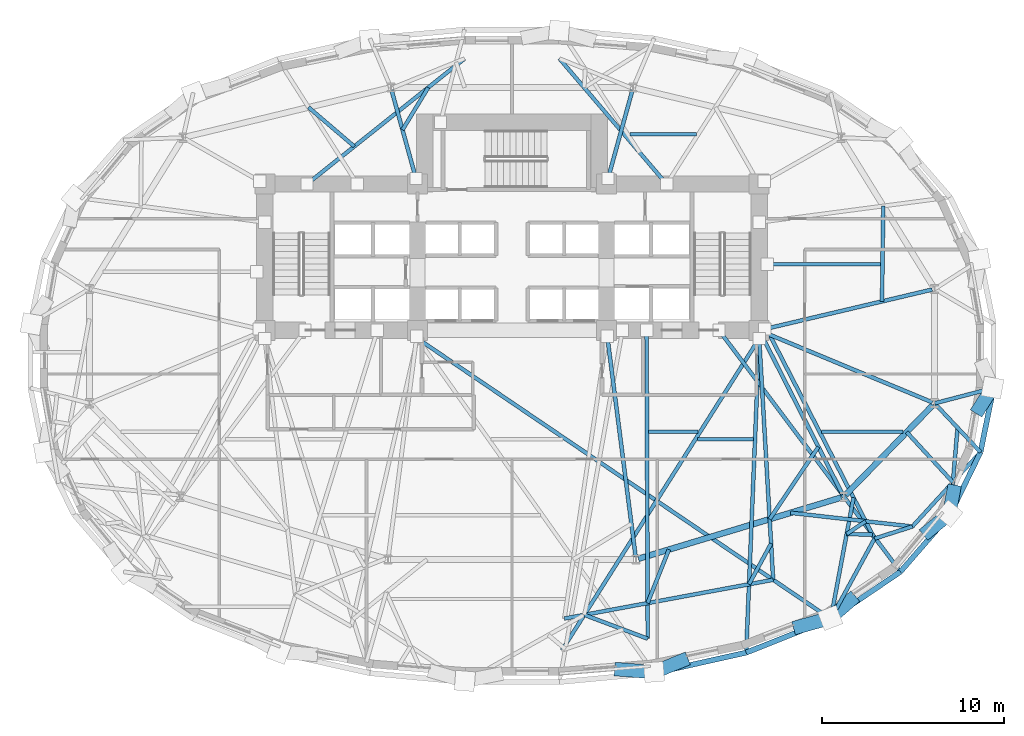
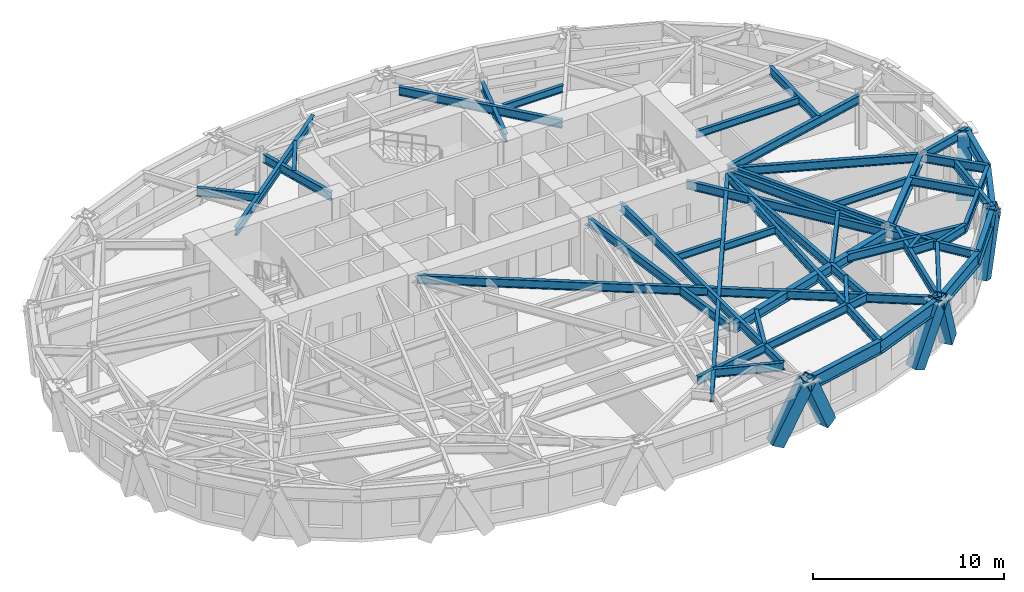
# One storey, part 3 of 13: 47 beams, 7 members.
"""IFC4 building model written with IfcOpenShell, lengths in metres."""

import ifcopenshell
import ifcopenshell.guid

model = None  # the IFC model being written
_history = None  # IfcOwnerHistory: only IFC2X3 demands one
_inside = {}  # id of a spatial element -> (the spatial element, [elements in it])
_under = {}  # id of a project, library or spatial element -> (it, [spatial elements below it])
_declared = {}  # id of a project -> (the project, [libraries it declares])
_typed = {}  # id of a type object -> (the type object, [elements of that type])
_made_of = {}  # id of a material, layer set ... -> (it, [elements and type objects made of it])


def new_model(schema):
    """Start an empty IFC model of exactly this schema.

    Asked for "IFC4X3", IfcOpenShell would pick the latest addendum, in which some entities
    have other attributes; the version numbers below select the first issue.
    IFC2X3 requires an IfcOwnerHistory on every rooted entity: one is made here for all.
    """
    global model, _history
    if schema == "IFC4X3":
        model = ifcopenshell.file(schema_version=(4, 3, 0, 0))
    else:
        model = ifcopenshell.file(schema=schema)
    _inside.clear()
    _under.clear()
    _declared.clear()
    _typed.clear()
    _made_of.clear()
    _history = None
    if model.schema == "IFC2X3":
        org = make("IfcOrganization", Name="unknown")
        user = make(
            "IfcPersonAndOrganization",
            ThePerson=make("IfcPerson", FamilyName="unknown"),
            TheOrganization=org,
        )
        app = make(
            "IfcApplication",
            ApplicationDeveloper=org,
            Version="unknown",
            ApplicationFullName="unknown",
            ApplicationIdentifier="unknown",
        )
        _history = make(
            "IfcOwnerHistory",
            OwningUser=user,
            OwningApplication=app,
            ChangeAction="ADDED",
            CreationDate=0,
        )
    return model


def make(cls, **values):
    """One entity of the class cls with the attributes given. An attribute that is None is left unset."""
    return model.create_entity(
        cls, **{name: value for name, value in values.items() if value is not None}
    )


def rooted(cls, **values):
    """An entity with a GlobalId (a new one), such as an element, a storey or a relation."""
    return make(cls, GlobalId=ifcopenshell.guid.new(), OwnerHistory=_history, **values)


def si_unit(unit_type, name, prefix=None):
    """IfcSIUnit, for example si_unit("LENGTHUNIT", "METRE", prefix="MILLI")."""
    return make("IfcSIUnit", UnitType=unit_type, Prefix=prefix, Name=name)


def assignment(units):
    """IfcUnitAssignment: the units of a project."""
    return None if units is None else make("IfcUnitAssignment", Units=units)


def point(xyz):
    """IfcCartesianPoint."""
    return None if xyz is None else make("IfcCartesianPoint", Coordinates=xyz)


def direction(xyz):
    """IfcDirection."""
    return None if xyz is None else make("IfcDirection", DirectionRatios=xyz)


def frame(location, z_axis=None, x_axis=None):
    """IfcAxis2Placement3D, a coordinate frame: its origin and axes. An axis left out is left unset."""
    return make(
        "IfcAxis2Placement3D",
        Location=point(location),
        Axis=direction(z_axis),
        RefDirection=direction(x_axis),
    )


def frame_2d(location, x_axis=None):
    """IfcAxis2Placement2D, a coordinate frame in the plane: its origin and x axis."""
    return make(
        "IfcAxis2Placement2D", Location=point(location), RefDirection=direction(x_axis)
    )


def origin():
    """The frame at (0, 0, 0) with its axes left unset."""
    return frame((0.0, 0.0, 0.0))


def origin_2d():
    """The frame at (0, 0) in the plane with its x axis left unset."""
    return frame_2d((0.0, 0.0))


def place(relative_to, where):
    """IfcLocalPlacement: puts the frame where relative to a parent placement (None: the world)."""
    return make(
        "IfcLocalPlacement", PlacementRelTo=relative_to, RelativePlacement=where
    )


def context(
    kind, dimensions, precision=None, world=None, true_north=None, identifier=None
):
    """IfcGeometricRepresentationContext, for example the 3D "Model" context."""
    return make(
        "IfcGeometricRepresentationContext",
        ContextIdentifier=identifier,
        ContextType=kind,
        CoordinateSpaceDimension=dimensions,
        Precision=precision,
        WorldCoordinateSystem=world,
        TrueNorth=true_north,
    )


def subcontext(parent, identifier, kind, view, scale=None):
    """IfcGeometricRepresentationSubContext, for example "Body" below "Model"."""
    return make(
        "IfcGeometricRepresentationSubContext",
        ContextIdentifier=identifier,
        ContextType=kind,
        ParentContext=parent,
        TargetScale=scale,
        TargetView=view,
    )


def project(units=None, contexts=None):
    """IfcProject with its units and contexts."""
    return rooted(
        "IfcProject",
        Name="project",
        RepresentationContexts=contexts,
        UnitsInContext=assignment(units),
    )


def spatial(cls, under=None, at=None, **own):
    """A site, building, storey or space (cls), placed at a placement, below another one or the project."""
    s = rooted(cls, ObjectPlacement=at, **own)
    if under is not None:
        _under.setdefault(under.id(), (under, []))[1].append(s)
    return s


def profile(cls, at=None, kind="AREA", **sizes):
    """A parametric profile (cls). Its sizes go by their IFC names, for example OverallWidth=200.0."""
    return make(cls, ProfileType=kind, Position=at, **sizes)


def hollow_rectangle(**sizes):
    """IfcRectangleHollowProfileDef."""
    return profile("IfcRectangleHollowProfileDef", **sizes)


def i_section(**sizes):
    """IfcIShapeProfileDef."""
    return profile("IfcIShapeProfileDef", **sizes)


def extrude(swept, where, along, depth):
    """IfcExtrudedAreaSolid: the profile swept, set in the frame where, extruded along a direction by depth."""
    return make(
        "IfcExtrudedAreaSolid",
        SweptArea=swept,
        Position=where,
        ExtrudedDirection=direction(along),
        Depth=depth,
    )


def shape(context_of_items, identifier, shape_type, items):
    """IfcShapeRepresentation: the items that make up one representation, for example the "Body"."""
    return make(
        "IfcShapeRepresentation",
        ContextOfItems=context_of_items,
        RepresentationIdentifier=identifier,
        RepresentationType=shape_type,
        Items=items,
    )


def material(Name=None, Category=None):
    """IfcMaterial."""
    return make("IfcMaterial", Name=Name, Category=Category)


def material_profile(
    of_material, cross_section, Name=None, Category=None, Priority=None
):
    """IfcMaterialProfile: a cross section and its material."""
    return make(
        "IfcMaterialProfile",
        Name=Name,
        Material=of_material,
        Profile=cross_section,
        Priority=Priority,
        Category=Category,
    )


def profile_set(profiles, Name=None, composite=None):
    """IfcMaterialProfileSet."""
    return make(
        "IfcMaterialProfileSet",
        Name=Name,
        MaterialProfiles=profiles,
        CompositeProfile=composite,
    )


def made_of(thing, what):
    """Note that an element or type object is made of a material, layer set ...; save() writes the relation."""
    if what is not None:
        _made_of.setdefault(what.id(), (what, []))[1].append(thing)
    return thing


def type_object(cls, material=None, **own):
    """A type object (cls), such as IfcWallType, which elements share."""
    return made_of(rooted(cls, **own), material)


def element(
    cls,
    number,
    at=None,
    inside=None,
    cuts=None,
    type_object=None,
    material=None,
    context=None,
    identifier="Body",
    shape_type=None,
    held_by="IfcProductDefinitionShape",
    body=None,
    shapes=None,
    **own,
):
    """One element of the class cls, such as IfcWall. Its Tag is "e" and its number.

    at: its placement. inside: the storey or other place that contains it. cuts: it is an
    opening in that element (IfcRelVoidsElement). A single representation is given by context,
    identifier, shape_type and body (its items); several are given by shapes. held_by: the class
    of the entity that holds the representations. save() writes the other relations.
    """
    e = rooted(cls, Tag="e%d" % number, ObjectPlacement=at, **own)
    if body is not None:
        shapes = [shape(context, identifier, shape_type, body)]
    if shapes is not None:
        e.Representation = make(held_by, Representations=shapes)
    if inside is not None:
        _inside.setdefault(inside.id(), (inside, []))[1].append(e)
    if cuts is not None:
        rooted(
            "IfcRelVoidsElement", RelatingBuildingElement=cuts, RelatedOpeningElement=e
        )
    if type_object is not None:
        _typed.setdefault(type_object.id(), (type_object, []))[1].append(e)
    return made_of(e, material)


def aggregate(whole, parts):
    """IfcRelAggregates: a whole, such as a stair, and the parts it consists of."""
    return rooted("IfcRelAggregates", RelatingObject=whole, RelatedObjects=parts)


def save(model, path):
    """Write the relations noted so far, then the file.

    IfcRelAggregates (storeys below a building ...), IfcRelContainedInSpatialStructure (elements
    in a storey), IfcRelDefinesByType, IfcRelAssociatesMaterial and IfcRelDeclares: one each for
    every whole, place, type object, material and project.
    """
    for whole, parts in _under.values():
        aggregate(whole, parts)
    for where, things in _inside.values():
        rooted(
            "IfcRelContainedInSpatialStructure",
            RelatedElements=things,
            RelatingStructure=where,
        )
    for kind, things in _typed.values():
        rooted("IfcRelDefinesByType", RelatedObjects=things, RelatingType=kind)
    for what, things in _made_of.values():
        rooted("IfcRelAssociatesMaterial", RelatedObjects=things, RelatingMaterial=what)
    for by, libraries in _declared.values():
        rooted("IfcRelDeclares", RelatingContext=by, RelatedDefinitions=libraries)
    model.write(path)


model = new_model("IFC4")

# Units and contexts
model_context = context("Model", 3, precision=1e-05, world=origin(), true_north=direction((0.0, 1.0)))
body_context = subcontext(model_context, "Body", "Model", "MODEL_VIEW")
ifc_project = project(units=[si_unit("LENGTHUNIT", "METRE"), si_unit("AREAUNIT", "SQUARE_METRE"), si_unit("VOLUMEUNIT", "CUBIC_METRE"), si_unit("PLANEANGLEUNIT", "RADIAN"), si_unit("MASSUNIT", "GRAM", prefix="KILO")], contexts=[model_context])

# Site, building, storey
site_placement = place(None, origin())
site = spatial("IfcSite", under=ifc_project, at=site_placement, CompositionType="ELEMENT")
building_placement = place(site_placement, origin())
building = spatial("IfcBuilding", under=site, at=building_placement, Name="Keldmark Tower", CompositionType="ELEMENT")
storey_placement = place(building_placement, frame((0.0, 0.0, 34.199951171875)))
storey = spatial("IfcBuildingStorey", under=building, at=storey_placement, Name="L08", CompositionType="ELEMENT", Elevation=34.199951171875)

# Beams
ifc_material_1 = material(Name="Steel ASTM A992 Grade 50", Category="steel")
ifc_material_profile_1 = material_profile(ifc_material_1, i_section(OverallWidth=0.19091796875, OverallDepth=0.45703125, WebThickness=0.009033203125, FlangeThickness=0.014404296875, at=origin_2d()), Name="W18X50")
ifc_profile_set_1 = profile_set([ifc_material_profile_1], Name="Steel ASTM A992 Grade 50")
beam_type_1 = type_object("IfcBeamType", Name="Composite Floor Joist W18X50", PredefinedType="JOIST", material=ifc_profile_set_1)
beam_1_placement = place(storey_placement, frame((7.52294921875, -4.179931640625, 3.171630859375), z_axis=(1.0, 0.0, 0.0), x_axis=(0.0, 1.0, 0.0)))
element("IfcBeam", 1, at=beam_1_placement, inside=storey, type_object=beam_type_1, Name="L08 Composite Floor Joist J10", PredefinedType="JOIST", context=body_context, shape_type="SweptSolid", body=[
    extrude(i_section(OverallWidth=0.19091796875, OverallDepth=0.45703125, WebThickness=0.009033203125, FlangeThickness=0.014404296875, at=origin_2d()), origin(), (0.0, 0.0, 1.0), 2.715576171875),
])
beam_2_placement = place(storey_placement, frame((10.20166015625, -4.60009765625, 3.171630859375), z_axis=(1.0, 0.0, 0.0), x_axis=(0.0, 1.0, 0.0)))
element("IfcBeam", 2, at=beam_2_placement, inside=storey, type_object=beam_type_1, Name="L08 Composite Floor Joist J11", PredefinedType="JOIST", context=body_context, shape_type="SweptSolid", body=[
    extrude(i_section(OverallWidth=0.19091796875, OverallDepth=0.45703125, WebThickness=0.009033203125, FlangeThickness=0.014404296875, at=origin_2d()), origin(), (0.0, 0.0, 1.0), 3.07275390625),
])
beam_3_placement = place(storey_placement, frame((17.031982421875, -4.179931640625, 3.171630859375), z_axis=(1.0, 0.0, 0.0), x_axis=(0.0, 1.0, 0.0)))
element("IfcBeam", 3, at=beam_3_placement, inside=storey, type_object=beam_type_1, Name="L08 Composite Floor Joist J12", PredefinedType="JOIST", context=body_context, shape_type="SweptSolid", body=[
    extrude(i_section(OverallWidth=0.19091796875, OverallDepth=0.45703125, WebThickness=0.009033203125, FlangeThickness=0.014404296875, at=origin_2d()), origin(), (0.0, 0.0, 1.0), 4.48291015625),
])
beam_4_placement = place(storey_placement, frame((14.044921875, 5.0400390625, 3.171630859375), z_axis=(1.0, 0.0, 0.0), x_axis=(0.0, 1.0, 0.0)))
element("IfcBeam", 4, at=beam_4_placement, inside=storey, type_object=beam_type_1, Name="L08 Composite Floor Joist J15", PredefinedType="JOIST", context=body_context, shape_type="SweptSolid", body=[
    extrude(i_section(OverallWidth=0.19091796875, OverallDepth=0.45703125, WebThickness=0.009033203125, FlangeThickness=0.014404296875, at=origin_2d()), origin(), (0.0, 0.0, 1.0), 6.242919921875),
])
beam_5_placement = place(storey_placement, frame((6.4794921875, 12.199951171875, 3.171630859375), z_axis=(1.0, 0.0, 0.0), x_axis=(0.0, 1.0, 0.0)))
element("IfcBeam", 5, at=beam_5_placement, inside=storey, type_object=beam_type_1, Name="L08 Composite Floor Joist J16", PredefinedType="JOIST", context=body_context, shape_type="SweptSolid", body=[
    extrude(i_section(OverallWidth=0.19091796875, OverallDepth=0.45703125, WebThickness=0.009033203125, FlangeThickness=0.014404296875, at=origin_2d()), origin(), (0.0, 0.0, 1.0), 3.6630859375),
])

# Members
ifc_material_2 = material(Name="Steel ASTM A572 Grade 50", Category="steel")
ifc_material_profile_2 = material_profile(ifc_material_2, hollow_rectangle(XDim=0.75, YDim=0.75, WallThickness=0.06494140625, at=origin_2d()), Name="BOX750X750X65")
ifc_profile_set_2 = profile_set([ifc_material_profile_2], Name="Steel ASTM A572 Grade 50")
member_type = type_object("IfcMemberType", Name="Diagrid Lower Brace BOX750X750X65", PredefinedType="BRACE", material=ifc_profile_set_2)
member_1_placement = place(storey_placement, frame((5.977294921875, -17.259033203125, -0.280029296875), z_axis=(0.458013492093, -0.035147464415, 0.888250131892), x_axis=(0.076513968609, 0.997068509486, 0.0)))
element("IfcMember", 6, at=member_1_placement, inside=storey, type_object=member_type, Name="L08 Perimeter Diagrid Brace 13A", PredefinedType="BRACE", context=body_context, shape_type="SweptSolid", body=[
    extrude(hollow_rectangle(XDim=0.75, YDim=0.75, WallThickness=0.06494140625, at=origin_2d()), origin(), (0.0, 0.0, 1.0), 4.008056640625),
])
member_2_placement = place(storey_placement, frame((9.35888671875, -16.775634765625, -0.280029296875), z_axis=(-0.395676725694, -0.159163893734, 0.904492555898), x_axis=(0.373195418758, -0.927752757699, 0.0)))
element("IfcMember", 7, at=member_2_placement, inside=storey, type_object=member_type, Name="L08 Perimeter Diagrid Brace 13B", PredefinedType="BRACE", context=body_context, shape_type="SweptSolid", body=[
    extrude(hollow_rectangle(XDim=0.75, YDim=0.75, WallThickness=0.06494140625, at=origin_2d()), origin(), (0.0, 0.0, 1.0), 3.93603515625),
])
member_3_placement = place(storey_placement, frame((15.815673828125, -14.8974609375, -0.280029296875), z_axis=(0.426661100334, 0.119514290929, 0.896480139058), x_axis=(-0.269732855336, 0.962935193433, 0.0)))
element("IfcMember", 8, at=member_3_placement, inside=storey, type_object=member_type, Name="L08 Perimeter Diagrid Brace 14A", PredefinedType="BRACE", context=body_context, shape_type="SweptSolid", body=[
    extrude(hollow_rectangle(XDim=0.75, YDim=0.75, WallThickness=0.06494140625, at=origin_2d()), origin(), (0.0, 0.0, 1.0), 3.97119140625),
])
member_4_placement = place(storey_placement, frame((18.6259765625, -13.451416015625, -0.280029296875), z_axis=(-0.291662540177, -0.253330833531, 0.922364597889), x_axis=(0.655752973742, -0.754975521079, 0.0)))
element("IfcMember", 9, at=member_4_placement, inside=storey, type_object=member_type, Name="L08 Perimeter Diagrid Brace 14B", PredefinedType="BRACE", context=body_context, shape_type="SweptSolid", body=[
    extrude(hollow_rectangle(XDim=0.75, YDim=0.75, WallThickness=0.06494140625, at=origin_2d()), origin(), (0.0, 0.0, 1.0), 3.859619140625),
])
member_5_placement = place(storey_placement, frame((22.906982421875, -9.64013671875, -0.280029296875), z_axis=(0.298593278648, 0.246171883477, 0.922085385272), x_axis=(-0.636125267427, 0.771585798302, 0.0)))
element("IfcMember", 10, at=member_5_placement, inside=storey, type_object=member_type, Name="L08 Perimeter Diagrid Brace 15A", PredefinedType="BRACE", context=body_context, shape_type="SweptSolid", body=[
    extrude(hollow_rectangle(XDim=0.75, YDim=0.75, WallThickness=0.06494140625, at=origin_2d()), origin(), (0.0, 0.0, 1.0), 3.86083984375),
])
member_6_placement = place(storey_placement, frame((24.29052734375, -7.4599609375, -0.280029296875), z_axis=(-0.062761039985, -0.328218909415, 0.942514402735), x_axis=(0.982204569677, -0.187814225513, 0.0)))
element("IfcMember", 11, at=member_6_placement, inside=storey, type_object=member_type, Name="L08 Perimeter Diagrid Brace 15B", PredefinedType="BRACE", context=body_context, shape_type="SweptSolid", body=[
    extrude(hollow_rectangle(XDim=0.75, YDim=0.75, WallThickness=0.06494140625, at=origin_2d()), origin(), (0.0, 0.0, 1.0), 3.777099609375),
])
member_7_placement = place(storey_placement, frame((25.720703125, -2.875244140625, -0.280029296875), z_axis=(0.188666899417, 0.295907785063, 0.936399158374), x_axis=(-0.843194018892, 0.537609380969, 0.0)))
element("IfcMember", 12, at=member_7_placement, inside=storey, type_object=member_type, Name="L08 Perimeter Diagrid Brace 16A", PredefinedType="BRACE", context=body_context, shape_type="SweptSolid", body=[
    extrude(hollow_rectangle(XDim=0.75, YDim=0.75, WallThickness=0.06494140625, at=origin_2d()), origin(), (0.0, 0.0, 1.0), 3.8017578125),
])

# Beams
ifc_material_3 = material(Name="Steel ASTM A992 Grade 50", Category="steel")
ifc_material_profile_3 = material_profile(ifc_material_3, i_section(OverallWidth=0.323974609375, OverallDepth=0.611083984375, WebThickness=0.0126953125, FlangeThickness=0.01904296875, at=origin_2d()), Name="W24X104")
ifc_profile_set_3 = profile_set([ifc_material_profile_3], Name="Steel ASTM A992 Grade 50")
beam_type_2 = type_object("IfcBeamType", Name="Primary Floor Girder W24X104", PredefinedType="BEAM", material=ifc_profile_set_3)
beam_6_placement = place(storey_placement, frame((6.9560546875, -11.165283203125, 3.094482421875), z_axis=(0.957346071406, 0.2889437654, 0.0), x_axis=(-0.2889437654, 0.957346071406, 0.0)))
element("IfcBeam", 13, at=beam_6_placement, inside=storey, type_object=beam_type_2, Name="L08 Floor Ring Girder FG-R10", PredefinedType="BEAM", context=body_context, shape_type="SweptSolid", body=[
    extrude(i_section(OverallWidth=0.323974609375, OverallDepth=0.611083984375, WebThickness=0.0126953125, FlangeThickness=0.01904296875, at=origin_2d()), origin(), (0.0, 0.0, 1.0), 11.66015625),
])
beam_7_placement = place(storey_placement, frame((18.350341796875, -7.6552734375, 3.094482421875), z_axis=(0.697210382268, 0.716866572563, 0.0), x_axis=(-0.716866572563, 0.697210382268, 0.0)))
element("IfcBeam", 14, at=beam_7_placement, inside=storey, type_object=beam_type_2, Name="L08 Floor Ring Girder FG-R11", PredefinedType="BEAM", context=body_context, shape_type="SweptSolid", body=[
    extrude(i_section(OverallWidth=0.323974609375, OverallDepth=0.611083984375, WebThickness=0.0126953125, FlangeThickness=0.01904296875, at=origin_2d()), origin(), (0.0, 0.0, 1.0), 6.893310546875),
])
ifc_material_4 = material(Name="Steel ASTM A992 Grade 50", Category="steel")
ifc_material_profile_4 = material_profile(ifc_material_4, i_section(OverallWidth=0.2099609375, OverallDepth=0.537109375, WebThickness=0.010986328125, FlangeThickness=0.017333984375, at=origin_2d()), Name="W21X68")
ifc_profile_set_4 = profile_set([ifc_material_profile_4], Name="Steel ASTM A992 Grade 50")
beam_type_3 = type_object("IfcBeamType", Name="Radial Tie Girder W21X68", PredefinedType="BEAM", material=ifc_profile_set_4)
beam_8_placement = place(storey_placement, frame((16.856201171875, -5.007080078125, 3.131591796875), z_axis=(-0.558663253194, -0.829394580119, 0.0), x_axis=(0.829394580119, -0.558663253194, 0.0)))
element("IfcBeam", 15, at=beam_8_placement, inside=storey, type_object=beam_type_3, Name="L08 Framing Pin Header PH-002", PredefinedType="BEAM", context=body_context, shape_type="SweptSolid", body=[
    extrude(i_section(OverallWidth=0.2099609375, OverallDepth=0.537109375, WebThickness=0.010986328125, FlangeThickness=0.017333984375, at=origin_2d()), origin(), (0.0, 0.0, 1.0), 4.79736328125),
])
beam_9_placement = place(storey_placement, frame((13.60009765625, 0.949951171875, 3.131591796875), z_axis=(0.057882337479, -0.99832341203, 0.0), x_axis=(0.99832341203, 0.057882337479, 0.0)))
element("IfcBeam", 16, at=beam_9_placement, inside=storey, type_object=beam_type_3, Name="L08 Sub-Ring Step Girder STP2-M11", PredefinedType="BEAM", context=body_context, shape_type="SweptSolid", body=[
    extrude(i_section(OverallWidth=0.2099609375, OverallDepth=0.537109375, WebThickness=0.010986328125, FlangeThickness=0.017333984375, at=origin_2d()), origin(), (0.0, 0.0, 1.0), 13.294677734375),
])
beam_10_placement = place(storey_placement, frame((2.878662109375, -14.455810546875, 3.131591796875), z_axis=(0.983200038107, 0.182531326258, 0.0), x_axis=(-0.182531326258, 0.983200038107, 0.0)))
element("IfcBeam", 17, at=beam_10_placement, inside=storey, type_object=beam_type_3, Name="L08 Perimeter Collector Ring Beam CRG2-M10", PredefinedType="BEAM", context=body_context, shape_type="SweptSolid", body=[
    extrude(i_section(OverallWidth=0.2099609375, OverallDepth=0.537109375, WebThickness=0.010986328125, FlangeThickness=0.017333984375, at=origin_2d()), origin(), (0.0, 0.0, 1.0), 11.687255859375),
])
beam_11_placement = place(storey_placement, frame((20.355712890625, 2.99365234375, 3.131591796875), z_axis=(0.013719000864, 0.999905890079, 0.0), x_axis=(-0.999905890079, 0.013719000864, 0.0)))
element("IfcBeam", 18, at=beam_11_placement, inside=storey, type_object=beam_type_3, Name="L08 Framing Pin Header PH-003", PredefinedType="BEAM", context=body_context, shape_type="SweptSolid", body=[
    extrude(i_section(OverallWidth=0.2099609375, OverallDepth=0.537109375, WebThickness=0.010986328125, FlangeThickness=0.017333984375, at=origin_2d()), origin(), (0.0, 0.0, 1.0), 5.249755859375),
])
beam_12_placement = place(storey_placement, frame((8.507080078125, 9.449951171875, 3.131591796875), z_axis=(-0.649528277571, 0.760337436035, 0.0), x_axis=(-0.760337436035, -0.649528277571, 0.0)))
element("IfcBeam", 19, at=beam_12_placement, inside=storey, type_object=beam_type_3, Name="L08 Intermediate Radial Step Girder RT-08M", PredefinedType="BEAM", context=body_context, shape_type="SweptSolid", body=[
    extrude(i_section(OverallWidth=0.2099609375, OverallDepth=0.537109375, WebThickness=0.010986328125, FlangeThickness=0.017333984375, at=origin_2d()), origin(), (0.0, 0.0, 1.0), 9.07958984375),
])
beam_13_placement = place(storey_placement, frame((-6.023681640625, 12.43505859375, 3.131591796875), z_axis=(0.519383177384, 0.854541464793, 0.0), x_axis=(-0.854541464793, 0.519383177384, 0.0)))
element("IfcBeam", 20, at=beam_13_placement, inside=storey, type_object=beam_type_3, Name="L08 Framing Pin Header PH-007", PredefinedType="BEAM", context=body_context, shape_type="SweptSolid", body=[
    extrude(i_section(OverallWidth=0.2099609375, OverallDepth=0.537109375, WebThickness=0.010986328125, FlangeThickness=0.017333984375, at=origin_2d()), origin(), (0.0, 0.0, 1.0), 2.720703125),
])
beam_14_placement = place(storey_placement, frame((-11.278564453125, 9.449951171875, 3.131591796875), z_axis=(0.782257480168, 0.622955242951, 0.0), x_axis=(-0.622955242951, 0.782257480168, 0.0)))
element("IfcBeam", 21, at=beam_14_placement, inside=storey, type_object=beam_type_3, Name="L08 Intermediate Radial Step Girder RT-09M", PredefinedType="BEAM", context=body_context, shape_type="SweptSolid", body=[
    extrude(i_section(OverallWidth=0.2099609375, OverallDepth=0.537109375, WebThickness=0.010986328125, FlangeThickness=0.017333984375, at=origin_2d()), origin(), (0.0, 0.0, 1.0), 11.08203125),
])
beam_15_placement = place(storey_placement, frame((-8.677978515625, 11.52099609375, 3.131591796875), z_axis=(-0.760255968088, 0.649623631794, 0.0), x_axis=(-0.649623631794, -0.760255968088, 0.0)))
element("IfcBeam", 22, at=beam_15_placement, inside=storey, type_object=beam_type_3, Name="L08 Framing Pin Header PH-009", PredefinedType="BEAM", context=body_context, shape_type="SweptSolid", body=[
    extrude(i_section(OverallWidth=0.2099609375, OverallDepth=0.537109375, WebThickness=0.010986328125, FlangeThickness=0.017333984375, at=origin_2d()), origin(), (0.0, 0.0, 1.0), 3.307861328125),
])
beam_16_placement = place(storey_placement, frame((13.60009765625, 0.949951171875, 3.131591796875), z_axis=(-0.53482085584, -0.844965473945, 0.0), x_axis=(0.844965473945, -0.53482085584, 0.0)))
element("IfcBeam", 23, at=beam_16_placement, inside=storey, type_object=beam_type_3, Name="L08 Intermediate Radial Step Girder RT-25M", PredefinedType="BEAM", context=body_context, shape_type="SweptSolid", body=[
    extrude(i_section(OverallWidth=0.2099609375, OverallDepth=0.537109375, WebThickness=0.010986328125, FlangeThickness=0.017333984375, at=origin_2d()), origin(), (0.0, 0.0, 1.0), 20.29833984375),
])
beam_17_placement = place(storey_placement, frame((8.630615234375, -10.659912109375, 3.131591796875), z_axis=(-0.369291270655, -0.929313702373, 0.0), x_axis=(0.929313702373, -0.369291270655, 0.0)))
element("IfcBeam", 24, at=beam_17_placement, inside=storey, type_object=beam_type_3, Name="L08 Framing Pin Header PH-021", PredefinedType="BEAM", context=body_context, shape_type="SweptSolid", body=[
    extrude(i_section(OverallWidth=0.2099609375, OverallDepth=0.537109375, WebThickness=0.010986328125, FlangeThickness=0.017333984375, at=origin_2d()), origin(), (0.0, 0.0, 1.0), 3.16943359375),
])
beam_18_placement = place(storey_placement, frame((7.406982421875, 1.39990234375, 3.131591796875), z_axis=(0.003554650426, -0.99999368221, 0.0), x_axis=(0.99999368221, 0.003554650426, 0.0)))
element("IfcBeam", 25, at=beam_18_placement, inside=storey, type_object=beam_type_3, Name="L08 Intermediate Radial Step Girder RT-26M", PredefinedType="BEAM", context=body_context, shape_type="SweptSolid", body=[
    extrude(i_section(OverallWidth=0.2099609375, OverallDepth=0.537109375, WebThickness=0.010986328125, FlangeThickness=0.017333984375, at=origin_2d()), origin(), (0.0, 0.0, 1.0), 16.96435546875),
])
beam_19_placement = place(storey_placement, frame((3.978271484375, -14.251708984375, 3.131591796875), z_axis=(0.935943738426, -0.352149568366, 0.0), x_axis=(0.352149568366, 0.935943738426, 0.0)))
element("IfcBeam", 26, at=beam_19_placement, inside=storey, type_object=beam_type_3, Name="L08 Local Collector Chord RT-26C", PredefinedType="BEAM", context=body_context, shape_type="SweptSolid", body=[
    extrude(i_section(OverallWidth=0.2099609375, OverallDepth=0.537109375, WebThickness=0.010986328125, FlangeThickness=0.017333984375, at=origin_2d()), origin(), (0.0, 0.0, 1.0), 3.727783203125),
])
beam_20_placement = place(storey_placement, frame((14.254150390625, -10.331787109375, 3.131591796875), z_axis=(-0.476774345294, -0.879025724123, 0.0), x_axis=(0.879025724123, -0.476774345294, 0.0)))
element("IfcBeam", 27, at=beam_20_placement, inside=storey, type_object=beam_type_3, Name="L08 Framing Pin Header PH-023", PredefinedType="BEAM", context=body_context, shape_type="SweptSolid", body=[
    extrude(i_section(OverallWidth=0.2099609375, OverallDepth=0.537109375, WebThickness=0.010986328125, FlangeThickness=0.017333984375, at=origin_2d()), origin(), (0.0, 0.0, 1.0), 2.54541015625),
])
beam_21_placement = place(storey_placement, frame((13.60009765625, 0.949951171875, 3.131591796875), z_axis=(-0.041349858857, -0.999144728842, 0.0), x_axis=(0.999144728842, -0.041349858857, 0.0)))
element("IfcBeam", 28, at=beam_21_placement, inside=storey, type_object=beam_type_3, Name="L08 Perimeter Radial Tie Girder RT-27", PredefinedType="BEAM", context=body_context, shape_type="SweptSolid", body=[
    extrude(i_section(OverallWidth=0.2099609375, OverallDepth=0.537109375, WebThickness=0.010986328125, FlangeThickness=0.017333984375, at=origin_2d()), origin(), (0.0, 0.0, 1.0), 17.293701171875),
])
beam_22_placement = place(storey_placement, frame((-5.199951171875, 0.949951171875, 3.131591796875), z_axis=(0.827543591706, -0.56140146404, 0.0), x_axis=(0.56140146404, 0.827543591706, 0.0)))
element("IfcBeam", 29, at=beam_22_placement, inside=storey, type_object=beam_type_3, Name="L08 Perimeter Radial Tie Girder RT-28", PredefinedType="BEAM", context=body_context, shape_type="SweptSolid", body=[
    extrude(i_section(OverallWidth=0.2099609375, OverallDepth=0.537109375, WebThickness=0.010986328125, FlangeThickness=0.017333984375, at=origin_2d()), origin(), (0.0, 0.0, 1.0), 27.476806640625),
])
beam_23_placement = place(storey_placement, frame((17.538330078125, -14.4755859375, 3.131591796875), z_axis=(0.184377574768, 0.982855487812, 0.0), x_axis=(-0.982855487812, 0.184377574768, 0.0)))
element("IfcBeam", 30, at=beam_23_placement, inside=storey, type_object=beam_type_3, Name="L08 Framing Pin Header PH-024", PredefinedType="BEAM", context=body_context, shape_type="SweptSolid", body=[
    extrude(i_section(OverallWidth=0.2099609375, OverallDepth=0.537109375, WebThickness=0.010986328125, FlangeThickness=0.017333984375, at=origin_2d()), origin(), (0.0, 0.0, 1.0), 6.78759765625),
])
beam_24_placement = place(storey_placement, frame((14.050048828125, 1.39990234375, 3.131591796875), z_axis=(0.457815018019, -0.889047473016, 0.0), x_axis=(0.889047473016, 0.457815018019, 0.0)))
element("IfcBeam", 31, at=beam_24_placement, inside=storey, type_object=beam_type_3, Name="L08 Intermediate Radial Step Girder RT-29M", PredefinedType="BEAM", context=body_context, shape_type="SweptSolid", body=[
    extrude(i_section(OverallWidth=0.2099609375, OverallDepth=0.537109375, WebThickness=0.010986328125, FlangeThickness=0.017333984375, at=origin_2d()), origin(), (0.0, 0.0, 1.0), 12.885498046875),
])
beam_25_placement = place(storey_placement, frame((17.538330078125, -14.4755859375, 3.131591796875), z_axis=(0.47887591407, 0.877882599738, 0.0), x_axis=(-0.877882599738, 0.47887591407, 0.0)))
element("IfcBeam", 32, at=beam_25_placement, inside=storey, type_object=beam_type_3, Name="L08 Local Collector Chord RT-29C", PredefinedType="BEAM", context=body_context, shape_type="SweptSolid", body=[
    extrude(i_section(OverallWidth=0.2099609375, OverallDepth=0.537109375, WebThickness=0.010986328125, FlangeThickness=0.017333984375, at=origin_2d()), origin(), (0.0, 0.0, 1.0), 5.034423828125),
])
beam_26_placement = place(storey_placement, frame((18.414306640625, -9.805908203125, 3.131591796875), z_axis=(0.999707865494, -0.02416989181, 0.0), x_axis=(0.02416989181, 0.999707865494, 0.0)))
element("IfcBeam", 33, at=beam_26_placement, inside=storey, type_object=beam_type_3, Name="L08 Framing Pin Header PH-025", PredefinedType="BEAM", context=body_context, shape_type="SweptSolid", body=[
    extrude(i_section(OverallWidth=0.2099609375, OverallDepth=0.537109375, WebThickness=0.010986328125, FlangeThickness=0.017333984375, at=origin_2d()), origin(), (0.0, 0.0, 1.0), 1.42431640625),
])
beam_27_placement = place(storey_placement, frame((11.392822265625, 1.39990234375, 3.131591796875), z_axis=(0.600691168242, -0.799481156999, 0.0), x_axis=(0.799481156999, 0.600691168242, 0.0)))
element("IfcBeam", 34, at=beam_27_placement, inside=storey, type_object=beam_type_3, Name="L08 Perimeter Radial Tie Girder RT-29", PredefinedType="BEAM", context=body_context, shape_type="SweptSolid", body=[
    extrude(i_section(OverallWidth=0.2099609375, OverallDepth=0.537109375, WebThickness=0.010986328125, FlangeThickness=0.017333984375, at=origin_2d()), origin(), (0.0, 0.0, 1.0), 16.610595703125),
])
beam_28_placement = place(storey_placement, frame((18.414306640625, -9.805908203125, 3.131591796875), z_axis=(0.829475435007, 0.558543196825, 0.0), x_axis=(-0.558543196825, 0.829475435007, 0.0)))
element("IfcBeam", 35, at=beam_28_placement, inside=storey, type_object=beam_type_3, Name="L08 Framing Pin Header PH-026", PredefinedType="BEAM", context=body_context, shape_type="SweptSolid", body=[
    extrude(i_section(OverallWidth=0.2099609375, OverallDepth=0.537109375, WebThickness=0.010986328125, FlangeThickness=0.017333984375, at=origin_2d()), origin(), (0.0, 0.0, 1.0), 1.2587890625),
])
beam_29_placement = place(storey_placement, frame((15.328125, -8.638427734375, 3.131591796875), z_axis=(0.993735791068, -0.11175498893, 0.0), x_axis=(0.11175498893, 0.993735791068, 0.0)))
element("IfcBeam", 36, at=beam_29_placement, inside=storey, type_object=beam_type_3, Name="L08 Intermediate Radial Step Girder RT-30M", PredefinedType="BEAM", context=body_context, shape_type="SweptSolid", body=[
    extrude(i_section(OverallWidth=0.2099609375, OverallDepth=0.537109375, WebThickness=0.010986328125, FlangeThickness=0.017333984375, at=origin_2d()), origin(), (0.0, 0.0, 1.0), 6.74169921875),
])
beam_30_placement = place(storey_placement, frame((19.94921875, -10.055908203125, 3.131591796875), z_axis=(0.952559171672, 0.304353453183, 0.0), x_axis=(-0.304353453183, 0.952559171672, 0.0)))
element("IfcBeam", 37, at=beam_30_placement, inside=storey, type_object=beam_type_3, Name="L08 Local Collector Chord RT-30C", PredefinedType="BEAM", context=body_context, shape_type="SweptSolid", body=[
    extrude(i_section(OverallWidth=0.2099609375, OverallDepth=0.537109375, WebThickness=0.010986328125, FlangeThickness=0.017333984375, at=origin_2d()), origin(), (0.0, 0.0, 1.0), 2.181884765625),
])
beam_31_placement = place(storey_placement, frame((23.25390625, -2.61328125, 3.131591796875), z_axis=(0.684853685662, -0.728680608522, 0.0), x_axis=(0.728680608522, 0.684853685662, 0.0)))
element("IfcBeam", 38, at=beam_31_placement, inside=storey, type_object=beam_type_3, Name="L08 Perimeter Column Bracket RT-31", PredefinedType="BEAM", context=body_context, shape_type="SweptSolid", body=[
    extrude(i_section(OverallWidth=0.2099609375, OverallDepth=0.537109375, WebThickness=0.010986328125, FlangeThickness=0.017333984375, at=origin_2d()), origin(), (0.0, 0.0, 1.0), 3.68212890625),
])
beam_32_placement = place(storey_placement, frame((23.25390625, -2.61328125, 3.131591796875), z_axis=(0.967609532619, 0.252451564434, 0.0), x_axis=(-0.252451564434, 0.967609532619, 0.0)))
element("IfcBeam", 39, at=beam_32_placement, inside=storey, type_object=beam_type_3, Name="L08 Perimeter Column Bracket RT-32", PredefinedType="BEAM", context=body_context, shape_type="SweptSolid", body=[
    extrude(i_section(OverallWidth=0.2099609375, OverallDepth=0.537109375, WebThickness=0.010986328125, FlangeThickness=0.017333984375, at=origin_2d()), origin(), (0.0, 0.0, 1.0), 3.349853515625),
])
beam_33_placement = place(storey_placement, frame((22.027587890625, -9.391845703125, 3.131591796875), z_axis=(0.675124999113, 0.737703352014, 0.0), x_axis=(-0.737703352014, 0.675124999113, 0.0)))
element("IfcBeam", 40, at=beam_33_placement, inside=storey, type_object=beam_type_3, Name="L08 Straddling Support Chord RT-30RB", PredefinedType="BEAM", context=body_context, shape_type="SweptSolid", body=[
    extrude(i_section(OverallWidth=0.2099609375, OverallDepth=0.537109375, WebThickness=0.010986328125, FlangeThickness=0.017333984375, at=origin_2d()), origin(), (0.0, 0.0, 1.0), 5.551513671875),
])
beam_34_placement = place(storey_placement, frame((21.714599609375, -4.196044921875, 3.131591796875), z_axis=(0.677863817172, -0.735187489943, 0.0), x_axis=(0.735187489943, 0.677863817172, 0.0)))
element("IfcBeam", 41, at=beam_34_placement, inside=storey, type_object=beam_type_3, Name="L08 Framing Pin Header PH-031", PredefinedType="BEAM", context=body_context, shape_type="SweptSolid", body=[
    extrude(i_section(OverallWidth=0.2099609375, OverallDepth=0.537109375, WebThickness=0.010986328125, FlangeThickness=0.017333984375, at=origin_2d()), origin(), (0.0, 0.0, 1.0), 3.752197265625),
])
beam_35_placement = place(storey_placement, frame((24.514892578125, -3.95458984375, 3.131591796875), z_axis=(-0.085310078751, -0.996354450215, 0.0), x_axis=(0.996354450215, -0.085310078751, 0.0)))
element("IfcBeam", 42, at=beam_35_placement, inside=storey, type_object=beam_type_3, Name="L08 Perimeter Radial Tie Girder RT-30R", PredefinedType="BEAM", context=body_context, shape_type="SweptSolid", body=[
    extrude(i_section(OverallWidth=0.2099609375, OverallDepth=0.537109375, WebThickness=0.010986328125, FlangeThickness=0.017333984375, at=origin_2d()), origin(), (0.0, 0.0, 1.0), 4.790771484375),
])
ifc_material_5 = material(Name="Steel ASTM A992 Grade 50", Category="steel")
ifc_material_profile_5 = material_profile(ifc_material_5, i_section(OverallWidth=0.214111328125, OverallDepth=0.549072265625, WebThickness=0.0146484375, FlangeThickness=0.023681640625, at=origin_2d()), Name="W21X93")
ifc_profile_set_5 = profile_set([ifc_material_profile_5], Name="Steel ASTM A992 Grade 50")
beam_type_4 = type_object("IfcBeamType", Name="Radial Tie Girder W21X93", PredefinedType="BEAM", material=ifc_profile_set_5)
beam_36_placement = place(storey_placement, frame((23.11767578125, 3.64501953125, 3.12548828125), z_axis=(-0.973287364179, -0.229590301909, 0.0), x_axis=(0.229590301909, -0.973287364179, 0.0)))
element("IfcBeam", 43, at=beam_36_placement, inside=storey, type_object=beam_type_4, Name="L08 Floor Radial Girder FG-C01", PredefinedType="BEAM", context=body_context, shape_type="SweptSolid", body=[
    extrude(i_section(OverallWidth=0.214111328125, OverallDepth=0.549072265625, WebThickness=0.0146484375, FlangeThickness=0.023681640625, at=origin_2d()), origin(), (0.0, 0.0, 1.0), 9.458740234375),
])
for number, where, z_axis, x_axis, name in (
    (44, (6.6279296875, 14.625, 3.12548828125), (-0.265984786353, -0.963977226613, 0.0), (0.963977226613, -0.265984786353, 0.0), "L08 Floor Radial Girder FG-C03"),
    (45, (-6.6279296875, 14.625, 3.12548828125), (0.265984786353, -0.963977226613, 0.0), (0.963977226613, 0.265984786353, 0.0), "L08 Floor Radial Girder FG-C04"),
):
    element("IfcBeam", number, at=place(storey_placement, frame(where, z_axis=z_axis, x_axis=x_axis)), inside=storey, type_object=beam_type_4, Name=name, PredefinedType="BEAM", context=body_context, shape_type="SweptSolid", body=[
        extrude(i_section(OverallWidth=0.214111328125, OverallDepth=0.549072265625, WebThickness=0.0146484375, FlangeThickness=0.023681640625, at=origin_2d()), origin(), (0.0, 0.0, 1.0), 5.04833984375),
    ])
beam_37_placement = place(storey_placement, frame((6.80419921875, -11.06689453125, 3.12548828125), z_axis=(-0.127634898593, 0.99182122011, 0.0), x_axis=(-0.99182122011, -0.127634898593, 0.0)))
element("IfcBeam", 46, at=beam_37_placement, inside=storey, type_object=beam_type_4, Name="L08 Floor Radial Girder FG-C10", PredefinedType="BEAM", context=body_context, shape_type="SweptSolid", body=[
    extrude(i_section(OverallWidth=0.214111328125, OverallDepth=0.549072265625, WebThickness=0.0146484375, FlangeThickness=0.023681640625, at=origin_2d()), origin(), (0.0, 0.0, 1.0), 12.24951171875),
])
beam_38_placement = place(storey_placement, frame((18.189453125, -7.630859375, 3.12548828125), z_axis=(-0.453037526986, 0.891491446478, 0.0), x_axis=(-0.891491446478, -0.453037526986, 0.0)))
element("IfcBeam", 47, at=beam_38_placement, inside=storey, type_object=beam_type_4, Name="L08 Floor Radial Girder FG-C11", PredefinedType="BEAM", context=body_context, shape_type="SweptSolid", body=[
    extrude(i_section(OverallWidth=0.214111328125, OverallDepth=0.549072265625, WebThickness=0.0146484375, FlangeThickness=0.023681640625, at=origin_2d()), origin(), (0.0, 0.0, 1.0), 9.81005859375),
])
beam_39_placement = place(storey_placement, frame((23.124755859375, -2.5595703125, 3.12548828125), z_axis=(-0.923390978102, 0.383860784088, 0.0), x_axis=(-0.383860784088, -0.923390978102, 0.0)))
element("IfcBeam", 48, at=beam_39_placement, inside=storey, type_object=beam_type_4, Name="L08 Floor Radial Girder FG-C12", PredefinedType="BEAM", context=body_context, shape_type="SweptSolid", body=[
    extrude(i_section(OverallWidth=0.214111328125, OverallDepth=0.549072265625, WebThickness=0.0146484375, FlangeThickness=0.023681640625, at=origin_2d()), origin(), (0.0, 0.0, 1.0), 9.994873046875),
])
ifc_material_6 = material(Name="Steel ASTM A992 Grade 50", Category="steel")
ifc_material_profile_6 = material_profile(ifc_material_6, i_section(OverallWidth=0.2919921875, OverallDepth=0.85888671875, WebThickness=0.01708984375, FlangeThickness=0.031005859375, at=origin_2d()), Name="W33X169")
ifc_profile_set_6 = profile_set([ifc_material_profile_6], Name="Steel ASTM A992 Grade 50")
beam_type_5 = type_object("IfcBeamType", Name="Spandrel Ring Beam W33X169", PredefinedType="SPANDREL", material=ifc_profile_set_6)
beam_40_placement = place(storey_placement, frame((7.819091796875, -17.459716796875, 2.970458984375), z_axis=(0.97597854999, 0.217866633424, 0.0), x_axis=(-0.217866633424, 0.97597854999, 0.0)))
element("IfcBeam", 49, at=beam_40_placement, inside=storey, type_object=beam_type_5, Name="L08 Perimeter Spandrel Ring Beam SRB-26", PredefinedType="SPANDREL", context=body_context, shape_type="SweptSolid", body=[
    extrude(i_section(OverallWidth=0.2919921875, OverallDepth=0.85888671875, WebThickness=0.01708984375, FlangeThickness=0.031005859375, at=origin_2d()), origin(), (0.0, 0.0, 1.0), 5.190673828125),
])
beam_41_placement = place(storey_placement, frame((12.885009765625, -16.328857421875, 2.970458984375), z_axis=(0.929030310441, 0.370003624688, 0.0), x_axis=(-0.370003624688, 0.929030310441, 0.0)))
element("IfcBeam", 50, at=beam_41_placement, inside=storey, type_object=beam_type_5, Name="L08 Perimeter Spandrel Ring Beam SRB-27", PredefinedType="SPANDREL", context=body_context, shape_type="SweptSolid", body=[
    extrude(i_section(OverallWidth=0.2919921875, OverallDepth=0.85888671875, WebThickness=0.01708984375, FlangeThickness=0.031005859375, at=origin_2d()), origin(), (0.0, 0.0, 1.0), 5.0087890625),
])
beam_42_placement = place(storey_placement, frame((17.538330078125, -14.4755859375, 2.970458984375), z_axis=(0.827954241597, 0.560795661379, 0.0), x_axis=(-0.560795661379, 0.827954241597, 0.0)))
element("IfcBeam", 51, at=beam_42_placement, inside=storey, type_object=beam_type_5, Name="L08 Perimeter Spandrel Ring Beam SRB-28", PredefinedType="SPANDREL", context=body_context, shape_type="SweptSolid", body=[
    extrude(i_section(OverallWidth=0.2919921875, OverallDepth=0.85888671875, WebThickness=0.01708984375, FlangeThickness=0.031005859375, at=origin_2d()), origin(), (0.0, 0.0, 1.0), 4.628662109375),
])
beam_43_placement = place(storey_placement, frame((21.37060546875, -11.8798828125, 2.970458984375), z_axis=(0.655447050027, 0.755241130111, 0.0), x_axis=(-0.755241130111, 0.655447050027, 0.0)))
element("IfcBeam", 52, at=beam_43_placement, inside=storey, type_object=beam_type_5, Name="L08 Perimeter Spandrel Ring Beam SRB-29", PredefinedType="SPANDREL", context=body_context, shape_type="SweptSolid", body=[
    extrude(i_section(OverallWidth=0.2919921875, OverallDepth=0.85888671875, WebThickness=0.01708984375, FlangeThickness=0.031005859375, at=origin_2d()), origin(), (0.0, 0.0, 1.0), 4.173583984375),
])
beam_44_placement = place(storey_placement, frame((24.106201171875, -8.727783203125, 2.970458984375), z_axis=(0.437488090563, 0.899224204865, 0.0), x_axis=(-0.899224204865, 0.437488090563, 0.0)))
element("IfcBeam", 53, at=beam_44_placement, inside=storey, type_object=beam_type_5, Name="L08 Perimeter Spandrel Ring Beam SRB-30", PredefinedType="SPANDREL", context=body_context, shape_type="SweptSolid", body=[
    extrude(i_section(OverallWidth=0.2919921875, OverallDepth=0.85888671875, WebThickness=0.01708984375, FlangeThickness=0.031005859375, at=origin_2d()), origin(), (0.0, 0.0, 1.0), 3.81591796875),
])
beam_45_placement = place(storey_placement, frame((25.775634765625, -5.29638671875, 2.970458984375), z_axis=(0.199843134177, 0.979827904135, 0.0), x_axis=(-0.979827904135, 0.199843134177, 0.0)))
element("IfcBeam", 54, at=beam_45_placement, inside=storey, type_object=beam_type_5, Name="L08 Perimeter Spandrel Ring Beam SRB-31", PredefinedType="SPANDREL", context=body_context, shape_type="SweptSolid", body=[
    extrude(i_section(OverallWidth=0.2919921875, OverallDepth=0.85888671875, WebThickness=0.01708984375, FlangeThickness=0.031005859375, at=origin_2d()), origin(), (0.0, 0.0, 1.0), 3.6015625),
])

save(model, "model.ifc")
